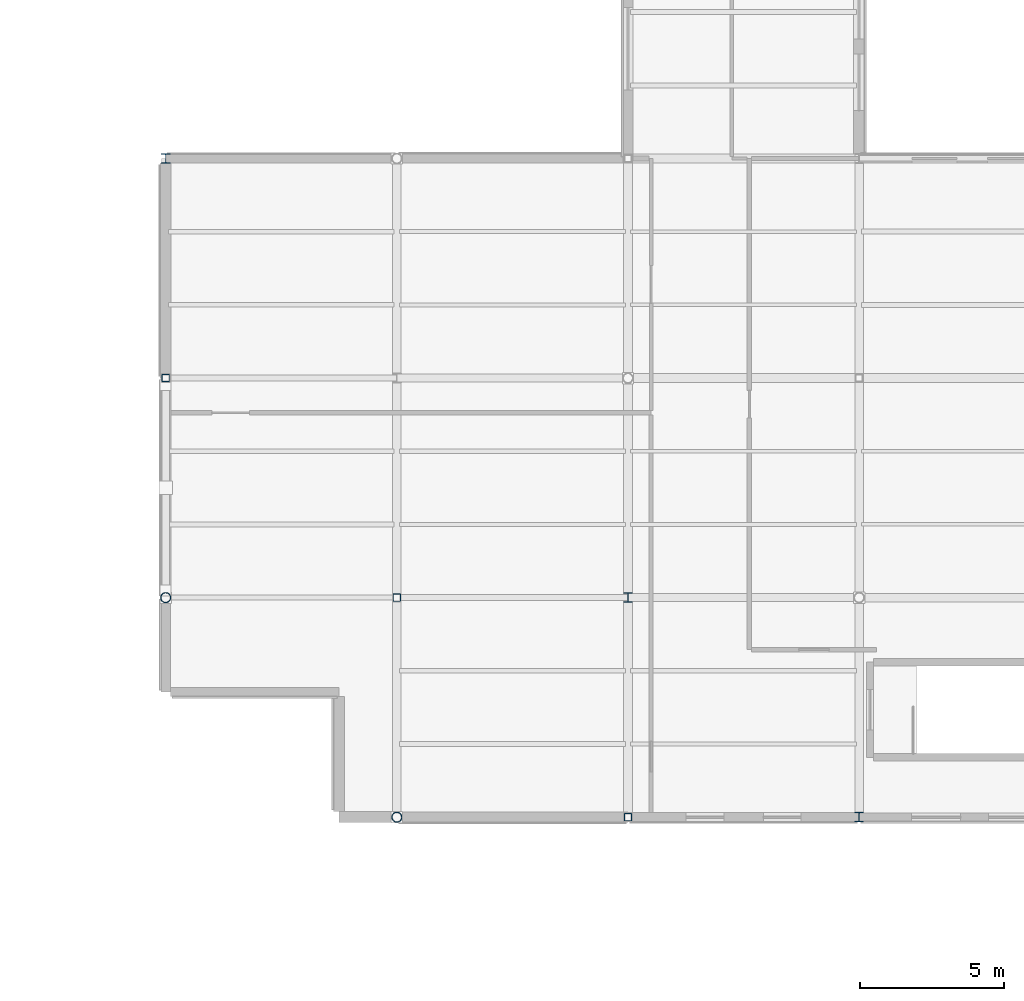
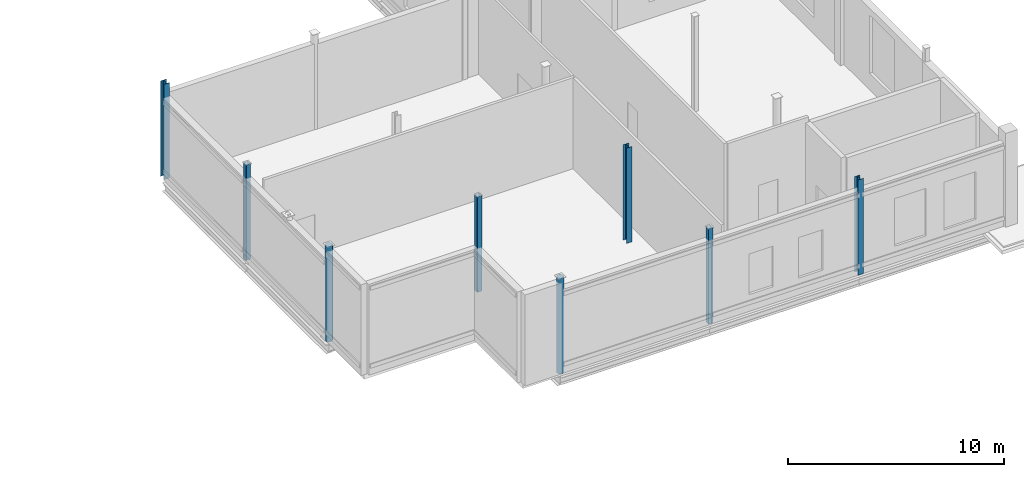
# One storey, part 1 of 147: 8 columns.
"""IFC4 building model written with IfcOpenShell, lengths in metres."""

from ifc_helpers import new_model, si_unit, direction, frame, origin, origin_2d, place, context, subcontext, project, spatial, hollow_rectangle, hollow_circle, i_section, extrude, material, material_profile, profile_set, type_object, element, save


model = new_model("IFC4")

# Units and contexts
model_context = context("Model", 3, precision=1e-05, world=origin(), true_north=direction((0.0, 1.0)))
body_context = subcontext(model_context, "Body", "Model", "MODEL_VIEW")
ifc_project = project(units=[si_unit("LENGTHUNIT", "METRE"), si_unit("AREAUNIT", "SQUARE_METRE"), si_unit("VOLUMEUNIT", "CUBIC_METRE"), si_unit("PLANEANGLEUNIT", "RADIAN"), si_unit("MASSUNIT", "GRAM", prefix="KILO")], contexts=[model_context])

# Site, building, storey
site_placement = place(None, origin())
site = spatial("IfcSite", under=ifc_project, at=site_placement, CompositionType="ELEMENT")
building_placement = place(site_placement, origin())
building = spatial("IfcBuilding", under=site, at=building_placement, Name="Vekula Escarpment Museum", CompositionType="ELEMENT")
storey_placement = place(building_placement, frame((0.0, 0.0, 7.800048828125)))
storey = spatial("IfcBuildingStorey", under=building, at=storey_placement, Name="L02", CompositionType="ELEMENT", Elevation=7.800048828125)

# Columns
ifc_material_1 = material(Name="Steel S355", Category="steel")
ifc_material_profile_1 = material_profile(ifc_material_1, hollow_circle(Radius=0.177734375, WallThickness=0.01611328125, at=origin_2d()), Name="CHS 355.6x16")
ifc_profile_set_1 = profile_set([ifc_material_profile_1], Name="Steel S355")
column_type_1 = type_object("IfcColumnType", Name="COL-S-CHS355", PredefinedType="COLUMN", material=ifc_profile_set_1)
for number, where, z_axis, x_axis, name in (
    (1, (24.0, 7.60009765625, 0.0), (0.0, 0.0, 1.0), (1.0, 0.0, 0.0), "Column L02 (24.0,7.6)"),
    (2, (32.0, 0.0, 0.0), (0.0, 0.0, 1.0), (1.0, 0.0, 0.0), "Column L02 (32.0,0.0)"),
):
    element("IfcColumn", number, at=place(storey_placement, frame(where, z_axis=z_axis, x_axis=x_axis)), inside=storey, type_object=column_type_1, Name=name, PredefinedType="COLUMN", context=body_context, shape_type="SweptSolid", body=[
        extrude(hollow_circle(Radius=0.177734375, WallThickness=0.01611328125, at=origin_2d()), origin(), (0.0, 0.0, 1.0), 5.39990234375),
    ])
ifc_material_2 = material(Name="Steel S355", Category="steel")
ifc_material_profile_2 = material_profile(ifc_material_2, i_section(OverallWidth=0.300048828125, OverallDepth=0.330078125, WebThickness=0.009521484375, FlangeThickness=0.0166015625, FilletRadius=0.027099609375, at=origin_2d()), Name="HEA 340")
ifc_profile_set_2 = profile_set([ifc_material_profile_2], Name="Steel S355")
column_type_2 = type_object("IfcColumnType", Name="COL-S-HEA340", PredefinedType="COLUMN", material=ifc_profile_set_2)
for number, where, z_axis, x_axis, name in (
    (3, (24.0, 22.800048828125, 0.0), (0.0, 0.0, 1.0), (1.0, 0.0, 0.0), "Column L02 (24.0,22.8)"),
    (4, (40.0, 7.60009765625, 0.0), (0.0, 0.0, 1.0), (1.0, 0.0, 0.0), "Column L02 (40.0,7.6)"),
    (5, (48.0, 0.0, 0.0), (0.0, 0.0, 1.0), (1.0, 0.0, 0.0), "Column L02 (48.0,0.0)"),
):
    element("IfcColumn", number, at=place(storey_placement, frame(where, z_axis=z_axis, x_axis=x_axis)), inside=storey, type_object=column_type_2, Name=name, PredefinedType="COLUMN", context=body_context, shape_type="SweptSolid", body=[
        extrude(i_section(OverallWidth=0.300048828125, OverallDepth=0.330078125, WebThickness=0.009521484375, FlangeThickness=0.0166015625, FilletRadius=0.027099609375, at=origin_2d()), origin(), (0.0, 0.0, 1.0), 5.39990234375),
    ])
ifc_material_3 = material(Name="Steel S355", Category="steel")
ifc_material_profile_3 = material_profile(ifc_material_3, hollow_rectangle(XDim=0.260009765625, YDim=0.260009765625, WallThickness=0.012451171875, InnerFilletRadius=0.012451171875, OuterFilletRadius=0.02490234375, at=origin_2d()), Name="SHS 260x260x12.5")
ifc_profile_set_3 = profile_set([ifc_material_profile_3], Name="Steel S355")
column_type_3 = type_object("IfcColumnType", Name="COL-S-SHS260", PredefinedType="COLUMN", material=ifc_profile_set_3)
for number, where, z_axis, x_axis, name in (
    (6, (24.0, 15.199951171875, 0.0), (0.0, 0.0, 1.0), (1.0, 0.0, 0.0), "Column L02 (24.0,15.2)"),
    (7, (32.0, 7.60009765625, 0.0), (0.0, 0.0, 1.0), (1.0, 0.0, 0.0), "Column L02 (32.0,7.6)"),
    (8, (40.0, 0.0, 0.0), (0.0, 0.0, 1.0), (1.0, 0.0, 0.0), "Column L02 (40.0,0.0)"),
):
    element("IfcColumn", number, at=place(storey_placement, frame(where, z_axis=z_axis, x_axis=x_axis)), inside=storey, type_object=column_type_3, Name=name, PredefinedType="COLUMN", context=body_context, shape_type="SweptSolid", body=[
        extrude(hollow_rectangle(XDim=0.260009765625, YDim=0.260009765625, WallThickness=0.012451171875, InnerFilletRadius=0.012451171875, OuterFilletRadius=0.02490234375, at=origin_2d()), origin(), (0.0, 0.0, 1.0), 5.39990234375),
    ])

save(model, "model.ifc")
